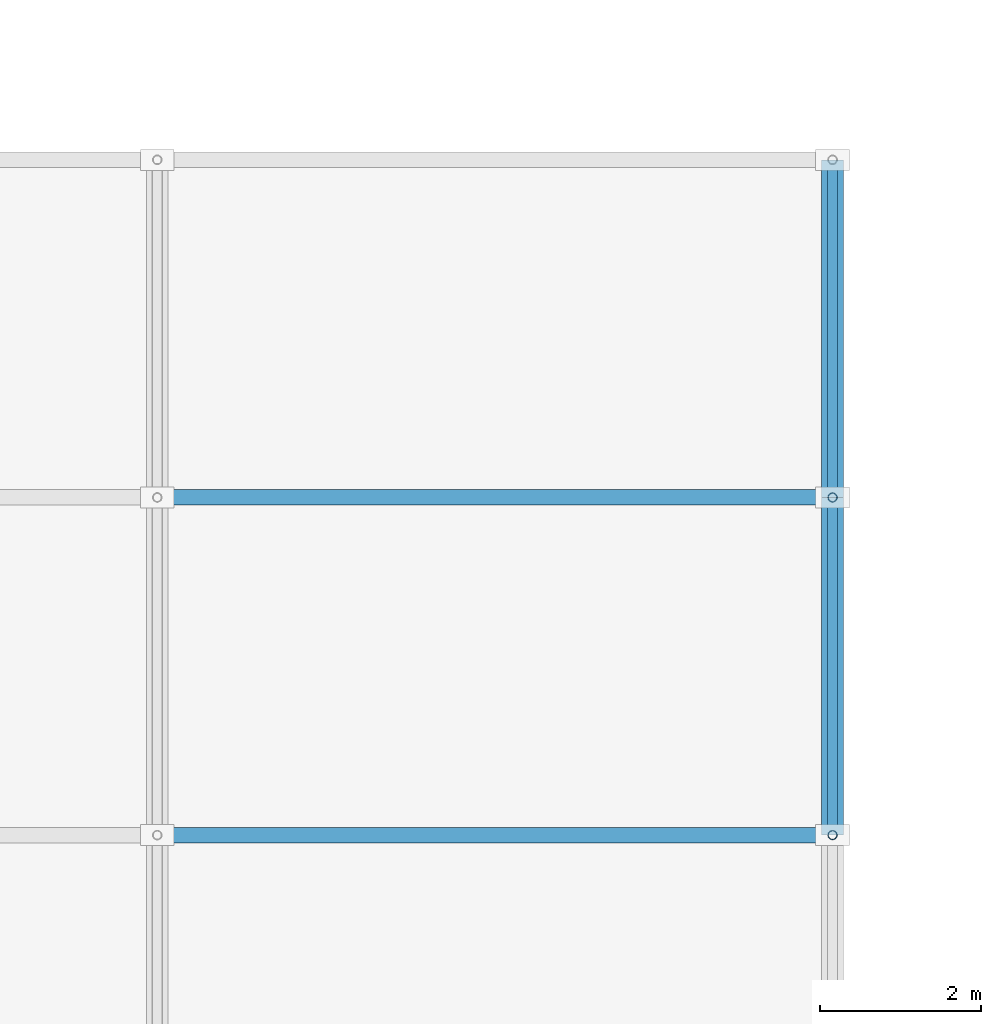
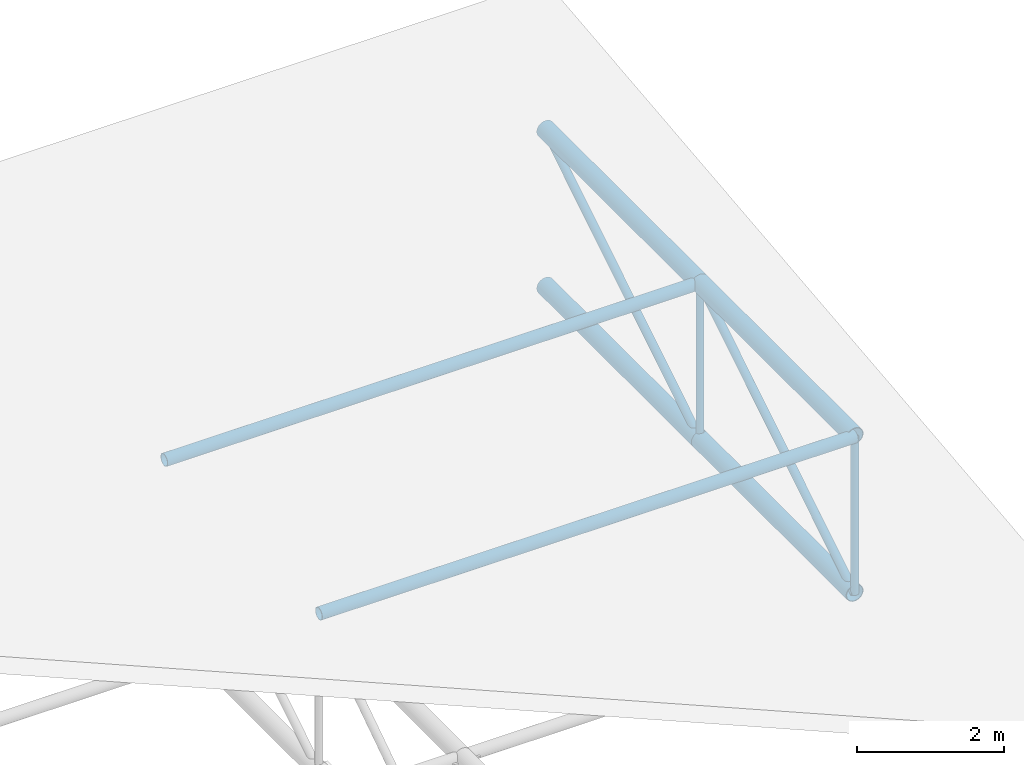
# One storey, part 36 of 140: 6 members, 4 beams.
"""IFC4 building model written with IfcOpenShell, lengths in metres."""

import ifcopenshell
import ifcopenshell.guid

model = None  # the IFC model being written
_history = None  # IfcOwnerHistory: only IFC2X3 demands one
_inside = {}  # id of a spatial element -> (the spatial element, [elements in it])
_under = {}  # id of a project, library or spatial element -> (it, [spatial elements below it])
_declared = {}  # id of a project -> (the project, [libraries it declares])
_typed = {}  # id of a type object -> (the type object, [elements of that type])
_made_of = {}  # id of a material, layer set ... -> (it, [elements and type objects made of it])


def new_model(schema):
    """Start an empty IFC model of exactly this schema.

    Asked for "IFC4X3", IfcOpenShell would pick the latest addendum, in which some entities
    have other attributes; the version numbers below select the first issue.
    IFC2X3 requires an IfcOwnerHistory on every rooted entity: one is made here for all.
    """
    global model, _history
    if schema == "IFC4X3":
        model = ifcopenshell.file(schema_version=(4, 3, 0, 0))
    else:
        model = ifcopenshell.file(schema=schema)
    _inside.clear()
    _under.clear()
    _declared.clear()
    _typed.clear()
    _made_of.clear()
    _history = None
    if model.schema == "IFC2X3":
        org = make("IfcOrganization", Name="unknown")
        user = make(
            "IfcPersonAndOrganization",
            ThePerson=make("IfcPerson", FamilyName="unknown"),
            TheOrganization=org,
        )
        app = make(
            "IfcApplication",
            ApplicationDeveloper=org,
            Version="unknown",
            ApplicationFullName="unknown",
            ApplicationIdentifier="unknown",
        )
        _history = make(
            "IfcOwnerHistory",
            OwningUser=user,
            OwningApplication=app,
            ChangeAction="ADDED",
            CreationDate=0,
        )
    return model


def make(cls, **values):
    """One entity of the class cls with the attributes given. An attribute that is None is left unset."""
    return model.create_entity(
        cls, **{name: value for name, value in values.items() if value is not None}
    )


def rooted(cls, **values):
    """An entity with a GlobalId (a new one), such as an element, a storey or a relation."""
    return make(cls, GlobalId=ifcopenshell.guid.new(), OwnerHistory=_history, **values)


def si_unit(unit_type, name, prefix=None):
    """IfcSIUnit, for example si_unit("LENGTHUNIT", "METRE", prefix="MILLI")."""
    return make("IfcSIUnit", UnitType=unit_type, Prefix=prefix, Name=name)


def assignment(units):
    """IfcUnitAssignment: the units of a project."""
    return None if units is None else make("IfcUnitAssignment", Units=units)


def point(xyz):
    """IfcCartesianPoint."""
    return None if xyz is None else make("IfcCartesianPoint", Coordinates=xyz)


def direction(xyz):
    """IfcDirection."""
    return None if xyz is None else make("IfcDirection", DirectionRatios=xyz)


def frame(location, z_axis=None, x_axis=None):
    """IfcAxis2Placement3D, a coordinate frame: its origin and axes. An axis left out is left unset."""
    return make(
        "IfcAxis2Placement3D",
        Location=point(location),
        Axis=direction(z_axis),
        RefDirection=direction(x_axis),
    )


def frame_2d(location, x_axis=None):
    """IfcAxis2Placement2D, a coordinate frame in the plane: its origin and x axis."""
    return make(
        "IfcAxis2Placement2D", Location=point(location), RefDirection=direction(x_axis)
    )


def origin():
    """The frame at (0, 0, 0) with its axes left unset."""
    return frame((0.0, 0.0, 0.0))


def origin_2d():
    """The frame at (0, 0) in the plane with its x axis left unset."""
    return frame_2d((0.0, 0.0))


def place(relative_to, where):
    """IfcLocalPlacement: puts the frame where relative to a parent placement (None: the world)."""
    return make(
        "IfcLocalPlacement", PlacementRelTo=relative_to, RelativePlacement=where
    )


def context(
    kind, dimensions, precision=None, world=None, true_north=None, identifier=None
):
    """IfcGeometricRepresentationContext, for example the 3D "Model" context."""
    return make(
        "IfcGeometricRepresentationContext",
        ContextIdentifier=identifier,
        ContextType=kind,
        CoordinateSpaceDimension=dimensions,
        Precision=precision,
        WorldCoordinateSystem=world,
        TrueNorth=true_north,
    )


def subcontext(parent, identifier, kind, view, scale=None):
    """IfcGeometricRepresentationSubContext, for example "Body" below "Model"."""
    return make(
        "IfcGeometricRepresentationSubContext",
        ContextIdentifier=identifier,
        ContextType=kind,
        ParentContext=parent,
        TargetScale=scale,
        TargetView=view,
    )


def project(units=None, contexts=None):
    """IfcProject with its units and contexts."""
    return rooted(
        "IfcProject",
        Name="project",
        RepresentationContexts=contexts,
        UnitsInContext=assignment(units),
    )


def spatial(cls, under=None, at=None, **own):
    """A site, building, storey or space (cls), placed at a placement, below another one or the project."""
    s = rooted(cls, ObjectPlacement=at, **own)
    if under is not None:
        _under.setdefault(under.id(), (under, []))[1].append(s)
    return s


def profile(cls, at=None, kind="AREA", **sizes):
    """A parametric profile (cls). Its sizes go by their IFC names, for example OverallWidth=200.0."""
    return make(cls, ProfileType=kind, Position=at, **sizes)


def hollow_circle(**sizes):
    """IfcCircleHollowProfileDef."""
    return profile("IfcCircleHollowProfileDef", **sizes)


def extrude(swept, where, along, depth):
    """IfcExtrudedAreaSolid: the profile swept, set in the frame where, extruded along a direction by depth."""
    return make(
        "IfcExtrudedAreaSolid",
        SweptArea=swept,
        Position=where,
        ExtrudedDirection=direction(along),
        Depth=depth,
    )


def shape(context_of_items, identifier, shape_type, items):
    """IfcShapeRepresentation: the items that make up one representation, for example the "Body"."""
    return make(
        "IfcShapeRepresentation",
        ContextOfItems=context_of_items,
        RepresentationIdentifier=identifier,
        RepresentationType=shape_type,
        Items=items,
    )


def material(Name=None, Category=None):
    """IfcMaterial."""
    return make("IfcMaterial", Name=Name, Category=Category)


def material_profile(
    of_material, cross_section, Name=None, Category=None, Priority=None
):
    """IfcMaterialProfile: a cross section and its material."""
    return make(
        "IfcMaterialProfile",
        Name=Name,
        Material=of_material,
        Profile=cross_section,
        Priority=Priority,
        Category=Category,
    )


def profile_set(profiles, Name=None, composite=None):
    """IfcMaterialProfileSet."""
    return make(
        "IfcMaterialProfileSet",
        Name=Name,
        MaterialProfiles=profiles,
        CompositeProfile=composite,
    )


def made_of(thing, what):
    """Note that an element or type object is made of a material, layer set ...; save() writes the relation."""
    if what is not None:
        _made_of.setdefault(what.id(), (what, []))[1].append(thing)
    return thing


def type_object(cls, material=None, **own):
    """A type object (cls), such as IfcWallType, which elements share."""
    return made_of(rooted(cls, **own), material)


def element(
    cls,
    number,
    at=None,
    inside=None,
    cuts=None,
    type_object=None,
    material=None,
    context=None,
    identifier="Body",
    shape_type=None,
    held_by="IfcProductDefinitionShape",
    body=None,
    shapes=None,
    **own,
):
    """One element of the class cls, such as IfcWall. Its Tag is "e" and its number.

    at: its placement. inside: the storey or other place that contains it. cuts: it is an
    opening in that element (IfcRelVoidsElement). A single representation is given by context,
    identifier, shape_type and body (its items); several are given by shapes. held_by: the class
    of the entity that holds the representations. save() writes the other relations.
    """
    e = rooted(cls, Tag="e%d" % number, ObjectPlacement=at, **own)
    if body is not None:
        shapes = [shape(context, identifier, shape_type, body)]
    if shapes is not None:
        e.Representation = make(held_by, Representations=shapes)
    if inside is not None:
        _inside.setdefault(inside.id(), (inside, []))[1].append(e)
    if cuts is not None:
        rooted(
            "IfcRelVoidsElement", RelatingBuildingElement=cuts, RelatedOpeningElement=e
        )
    if type_object is not None:
        _typed.setdefault(type_object.id(), (type_object, []))[1].append(e)
    return made_of(e, material)


def aggregate(whole, parts):
    """IfcRelAggregates: a whole, such as a stair, and the parts it consists of."""
    return rooted("IfcRelAggregates", RelatingObject=whole, RelatedObjects=parts)


def save(model, path):
    """Write the relations noted so far, then the file.

    IfcRelAggregates (storeys below a building ...), IfcRelContainedInSpatialStructure (elements
    in a storey), IfcRelDefinesByType, IfcRelAssociatesMaterial and IfcRelDeclares: one each for
    every whole, place, type object, material and project.
    """
    for whole, parts in _under.values():
        aggregate(whole, parts)
    for where, things in _inside.values():
        rooted(
            "IfcRelContainedInSpatialStructure",
            RelatedElements=things,
            RelatingStructure=where,
        )
    for kind, things in _typed.values():
        rooted("IfcRelDefinesByType", RelatedObjects=things, RelatingType=kind)
    for what, things in _made_of.values():
        rooted("IfcRelAssociatesMaterial", RelatedObjects=things, RelatingMaterial=what)
    for by, libraries in _declared.values():
        rooted("IfcRelDeclares", RelatingContext=by, RelatedDefinitions=libraries)
    model.write(path)


model = new_model("IFC4")

# Units and contexts
model_context = context("Model", 3, precision=1e-05, world=origin(), true_north=direction((0.0, 1.0)))
body_context = subcontext(model_context, "Body", "Model", "MODEL_VIEW")
ifc_project = project(units=[si_unit("LENGTHUNIT", "METRE"), si_unit("AREAUNIT", "SQUARE_METRE"), si_unit("VOLUMEUNIT", "CUBIC_METRE"), si_unit("PLANEANGLEUNIT", "RADIAN"), si_unit("MASSUNIT", "GRAM", prefix="KILO")], contexts=[model_context])

# Site, building, storey
site_placement = place(None, origin())
site = spatial("IfcSite", under=ifc_project, at=site_placement, CompositionType="ELEMENT")
building_placement = place(site_placement, origin())
building = spatial("IfcBuilding", under=site, at=building_placement, Name="Varnapada Polytechnic", CompositionType="ELEMENT")
storey_placement = place(building_placement, frame((0.0, 0.0, 13.800048828125)))
storey = spatial("IfcBuildingStorey", under=building, at=storey_placement, Name="L03", CompositionType="ELEMENT", Elevation=13.800048828125)

# Members
ifc_material = material(Name="Steel S355", Category="steel")
ifc_material_profile_1 = material_profile(ifc_material, hollow_circle(Radius=0.096923828125, WallThickness=0.00634765625, at=origin_2d()), Name="CHS 193.7x6.3")
ifc_profile_set_1 = profile_set([ifc_material_profile_1], Name="Steel S355")
member_type_1 = type_object("IfcMemberType", Name="Canopy space frame longitudinal chord SFC-03 (CHS 193.7x6.3)", PredefinedType="CHORD", material=ifc_profile_set_1)
for number, where, z_axis, x_axis, name in (
    (1, (100.800048828125, 21.0, -1.35009765625), (1.0, 0.0, 0.0), (0.0, 1.0, 0.0), "Entrance canopy longitudinal chord 4.2"),
    (2, (100.800048828125, 16.800048828125, -1.35009765625), (1.0, 0.0, 0.0), (0.0, 1.0, 0.0), "Entrance canopy longitudinal chord 4.3"),
):
    element("IfcMember", number, at=place(storey_placement, frame(where, z_axis=z_axis, x_axis=x_axis)), inside=storey, type_object=member_type_1, Name=name, PredefinedType="CHORD", context=body_context, shape_type="SweptSolid", body=[
        extrude(hollow_circle(Radius=0.096923828125, WallThickness=0.00634765625, at=origin_2d()), origin(), (0.0, 0.0, 1.0), 8.39990234375),
    ])
ifc_material_profile_2 = material_profile(ifc_material, hollow_circle(Radius=0.05712890625, WallThickness=0.0048828125, at=origin_2d()), Name="CHS 114.3x5.0")
ifc_profile_set_2 = profile_set([ifc_material_profile_2], Name="Steel S355")
member_type_2 = type_object("IfcMemberType", Name="Canopy space frame web strut SFS-02 (CHS 114.3x5.0)", PredefinedType="STRUT", material=ifc_profile_set_2)
for number, where, z_axis, x_axis, name in (
    (3, (109.199951171875, 21.0, -3.949951171875), (0.0, 0.0, 1.0), (1.0, 0.0, 0.0), "Entrance canopy space frame post 5.2"),
    (4, (109.199951171875, 16.800048828125, -3.949951171875), (0.0, 0.0, 1.0), (1.0, 0.0, 0.0), "Entrance canopy space frame post 5.3"),
):
    element("IfcMember", number, at=place(storey_placement, frame(where, z_axis=z_axis, x_axis=x_axis)), inside=storey, type_object=member_type_2, Name=name, PredefinedType="STRUT", context=body_context, shape_type="SweptSolid", body=[
        extrude(hollow_circle(Radius=0.05712890625, WallThickness=0.0048828125, at=origin_2d()), origin(), (0.0, 0.0, 1.0), 2.599853515625),
    ])
ifc_material_profile_3 = material_profile(ifc_material, hollow_circle(Radius=0.0634765625, WallThickness=0.0048828125, at=origin_2d()), Name="CHS 127.0x5.0")
ifc_profile_set_3 = profile_set([ifc_material_profile_3], Name="Steel S355")
member_type_3 = type_object("IfcMemberType", Name="Canopy web diagonal SFB-04 (CHS 127.0x5.0)", PredefinedType="BRACE", material=ifc_profile_set_3)
for number, where, z_axis, x_axis, name in (
    (5, (109.199951171875, 25.199951171875, -1.35009765625), (0.0, -0.85027567993, -0.526337598999), (1.0, 0.0, 0.0), "Entrance canopy space frame web brace 5.1"),
    (6, (109.199951171875, 21.0, -1.35009765625), (0.0, -0.85027567993, -0.526337598999), (1.0, 0.0, 0.0), "Entrance canopy space frame web brace 5.2"),
):
    element("IfcMember", number, at=place(storey_placement, frame(where, z_axis=z_axis, x_axis=x_axis)), inside=storey, type_object=member_type_3, Name=name, PredefinedType="BRACE", context=body_context, shape_type="SweptSolid", body=[
        extrude(hollow_circle(Radius=0.0634765625, WallThickness=0.0048828125, at=origin_2d()), origin(), (0.0, 0.0, 1.0), 4.939453125),
    ])

# Beams
ifc_material_profile_4 = material_profile(ifc_material, hollow_circle(Radius=0.136474609375, WallThickness=0.010009765625, at=origin_2d()), Name="CHS 273.0x10.0")
ifc_profile_set_4 = profile_set([ifc_material_profile_4], Name="Steel S355")
beam_type = type_object("IfcBeamType", Name="Vaulted space frame canopy chord beam VA-03 (CHS 273.0x10.0)", PredefinedType="BEAM", material=ifc_profile_set_4)
for number, where, z_axis, x_axis, name in (
    (7, (109.199951171875, 25.199951171875, -3.949951171875), (0.0, -1.0, 0.0), (1.0, 0.0, 0.0), "Entrance canopy space frame bottom chord 5.1"),
    (8, (109.199951171875, 25.199951171875, -1.35009765625), (0.0, -1.0, 0.0), (1.0, 0.0, 0.0), "Entrance canopy space frame top chord 5.1"),
    (9, (109.199951171875, 21.0, -3.949951171875), (0.0, -1.0, 0.0), (1.0, 0.0, 0.0), "Entrance canopy space frame bottom chord 5.2"),
    (10, (109.199951171875, 21.0, -1.35009765625), (0.0, -1.0, 0.0), (1.0, 0.0, 0.0), "Entrance canopy space frame top chord 5.2"),
):
    element("IfcBeam", number, at=place(storey_placement, frame(where, z_axis=z_axis, x_axis=x_axis)), inside=storey, type_object=beam_type, Name=name, PredefinedType="BEAM", context=body_context, shape_type="SweptSolid", body=[
        extrude(hollow_circle(Radius=0.136474609375, WallThickness=0.010009765625, at=origin_2d()), origin(), (0.0, 0.0, 1.0), 4.199951171875),
    ])

save(model, "model.ifc")
